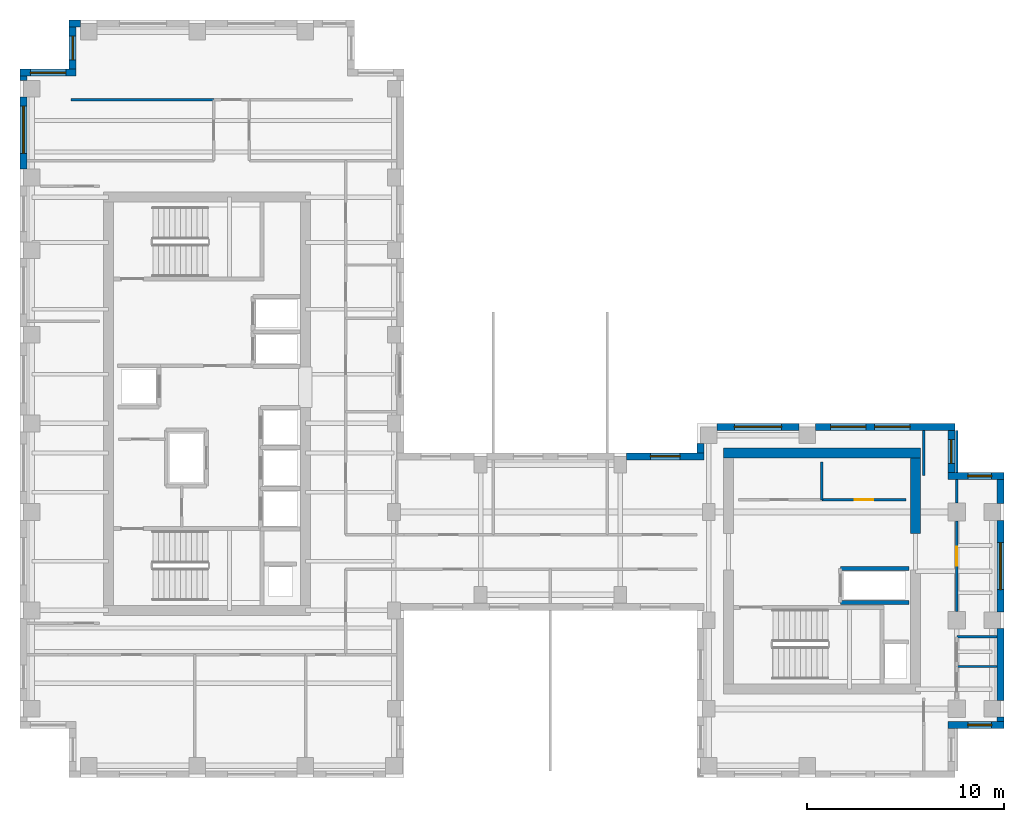
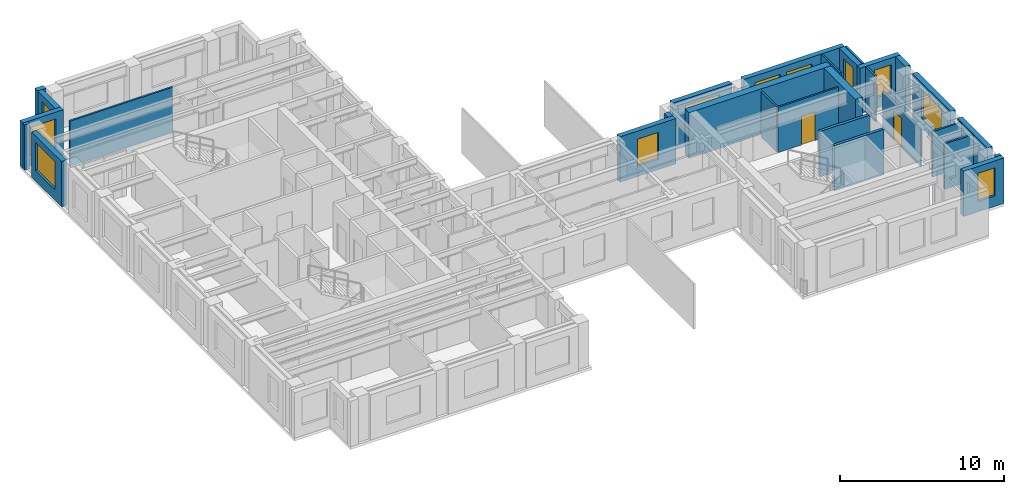
# One storey, part 8 of 11: 29 walls, 11 windows, 2 doors, 13 openings.
"""IFC4 building model written with IfcOpenShell, lengths in metres."""

from ifc_helpers import new_model, si_unit, direction, frame, frame_2d, origin, place, context, subcontext, project, spatial, rectangle, extrude, source, transform, mapped, material, layer, layer_set, type_object, element, fill, save


model = new_model("IFC4")

# Units and contexts
model_context = context("Model", 3, precision=1e-05, world=origin(), true_north=direction((0.0, 1.0)))
body_context = subcontext(model_context, "Body", "Model", "MODEL_VIEW")
ifc_project = project(units=[si_unit("LENGTHUNIT", "METRE"), si_unit("AREAUNIT", "SQUARE_METRE"), si_unit("VOLUMEUNIT", "CUBIC_METRE"), si_unit("PLANEANGLEUNIT", "RADIAN"), si_unit("MASSUNIT", "GRAM", prefix="KILO")], contexts=[model_context])

# Site, building, storey
site_placement = place(None, origin())
site = spatial("IfcSite", under=ifc_project, at=site_placement, CompositionType="ELEMENT")
building_placement = place(site_placement, origin())
building = spatial("IfcBuilding", under=site, at=building_placement, Name="Kharzan Plaza Tower", CompositionType="ELEMENT")
storey_placement = place(building_placement, frame((0.0, 0.0, 226.800048828125)))
storey = spatial("IfcBuildingStorey", under=building, at=storey_placement, Name="L61", CompositionType="ELEMENT", Elevation=226.800048828125)

# Wall, opening, window
ifc_material_1 = material(Name="Concrete C40/50", Category="concrete")
ifc_layer_1 = layer(ifc_material_1, 0.35009765625)
ifc_layer_set_1 = layer_set([ifc_layer_1], Name="Concrete C40/50")
wall_type_1 = type_object("IfcWallType", Name="WL-EXT-MAS-Z4", PredefinedType="SOLIDWALL", material=ifc_layer_set_1)
wall_1_placement = place(storey_placement, frame((2.675048828125, 38.152099609375, 0.0), z_axis=(0.0, 0.0, 1.0), x_axis=(0.0, -1.0, 0.0)))
wall_1 = element("IfcWall", 1, at=wall_1_placement, inside=storey, type_object=wall_type_1, Name="L61 Masonry-Frame Exterior Wall 14", PredefinedType="SOLIDWALL", context=body_context, shape_type="SweptSolid", body=[
    extrude(rectangle(XDim=2.154052734375, YDim=0.35009765625, at=frame_2d((1.0771484375, 0.0))), origin(), (0.0, 0.0, 1.0), 3.385009765625),
])
opening_1_placement = place(wall_1_placement, frame((0.47705078125, 0.0, 0.780029296875)))
opening_1 = element("IfcOpeningElement", 2, at=opening_1_placement, cuts=wall_1, Name="Opening W3", PredefinedType="OPENING", context=body_context, shape_type="SweptSolid", body=[
    extrude(rectangle(XDim=1.199951171875, YDim=2.10009765625, at=frame_2d((0.60009765625, 1.050048828125))), frame((0.0, 0.18505859375, 0.0), z_axis=(0.0, -1.0, 0.0), x_axis=(1.0, 0.0, 0.0)), (0.0, 0.0, 1.0), 0.3701171875),
])
ifc_material_2 = material(Name="Low-E Double Glazing", Category="glass")
window_type_1 = type_object("IfcWindowType", Name="WN-REC-1200x2100", PartitioningType="SINGLE_PANEL", PredefinedType="WINDOW", material=ifc_material_2)
shared_shape_1 = source(origin(), body_context, "Body", "SweptSolid", [
    extrude(rectangle(XDim=1.199951171875, YDim=2.10009765625, at=frame_2d((0.60009765625, 1.050048828125))), frame((0.0, 0.030029296875, 0.0), z_axis=(0.0, -1.0, 0.0), x_axis=(1.0, 0.0, 0.0)), (0.0, 0.0, 1.0), 0.06005859375),
])
window_1_placement = place(opening_1_placement, origin())
window_1 = element("IfcWindow", 3, at=window_1_placement, inside=storey, type_object=window_type_1, Name="L61 Recessed Solar-Control Window 14-1", OverallHeight=2.10009765625, OverallWidth=1.199951171875, PartitioningType="SINGLE_PANEL", PredefinedType="WINDOW", context=body_context, shape_type="MappedRepresentation", body=[
    mapped(shared_shape_1, transform((0.0, 0.0, 0.0), x_axis=(1.0, 0.0, 0.0), y_axis=(0.0, 1.0, 0.0), z_axis=(0.0, 0.0, 1.0))),
])
fill(opening_1, window_1)

wall_2_placement = place(storey_placement, frame((2.85009765625, 35.824951171875, 0.0), z_axis=(0.0, 0.0, 1.0), x_axis=(-1.0, 0.0, 0.0)))
wall_2 = element("IfcWall", 4, at=wall_2_placement, inside=storey, type_object=wall_type_1, Name="L61 Masonry-Frame Exterior Wall 15", PredefinedType="SOLIDWALL", context=body_context, shape_type="SweptSolid", body=[
    extrude(rectangle(XDim=2.85009765625, YDim=0.35009765625, at=frame_2d((1.425048828125, 0.0))), origin(), (0.0, 0.0, 1.0), 3.385009765625),
])
opening_2_placement = place(wall_2_placement, frame((0.52490234375, 0.0, 0.780029296875)))
opening_2 = element("IfcOpeningElement", 5, at=opening_2_placement, cuts=wall_2, Name="Opening W1", PredefinedType="OPENING", context=body_context, shape_type="SweptSolid", body=[
    extrude(rectangle(XDim=1.800048828125, YDim=2.10009765625, at=frame_2d((0.89990234375, 1.050048828125))), frame((0.0, 0.18505859375, 0.0), z_axis=(0.0, -1.0, 0.0), x_axis=(1.0, 0.0, 0.0)), (0.0, 0.0, 1.0), 0.3701171875),
])
window_type_2 = type_object("IfcWindowType", Name="WN-REC-1800x2100", PartitioningType="SINGLE_PANEL", PredefinedType="WINDOW", material=ifc_material_2)
shared_shape_2 = source(origin(), body_context, "Body", "SweptSolid", [
    extrude(rectangle(XDim=1.800048828125, YDim=2.10009765625, at=frame_2d((0.89990234375, 1.050048828125))), frame((0.0, 0.030029296875, 0.0), z_axis=(0.0, -1.0, 0.0), x_axis=(1.0, 0.0, 0.0)), (0.0, 0.0, 1.0), 0.06005859375),
])
window_2_placement = place(opening_2_placement, origin())
window_2 = element("IfcWindow", 6, at=window_2_placement, inside=storey, type_object=window_type_2, Name="L61 Recessed Solar-Control Window 15-1", OverallHeight=2.10009765625, OverallWidth=1.800048828125, PartitioningType="SINGLE_PANEL", PredefinedType="WINDOW", context=body_context, shape_type="MappedRepresentation", body=[
    mapped(shared_shape_2, transform((0.0, 0.0, 0.0), x_axis=(1.0, 0.0, 0.0), y_axis=(0.0, 1.0, 0.0), z_axis=(0.0, 0.0, 1.0))),
])
fill(opening_2, window_2)

wall_3_placement = place(storey_placement, frame((0.175048828125, 34.576904296875, 0.0), z_axis=(0.0, 0.0, 1.0), x_axis=(0.0, -1.0, 0.0)))
wall_3 = element("IfcWall", 7, at=wall_3_placement, inside=storey, type_object=wall_type_1, Name="L61 Masonry-Frame Exterior Wall 17", PredefinedType="SOLIDWALL", context=body_context, shape_type="SweptSolid", body=[
    extrude(rectangle(XDim=3.65380859375, YDim=0.35009765625, at=frame_2d((1.826904296875, 0.0))), origin(), (0.0, 0.0, 1.0), 3.385009765625),
])
opening_3_placement = place(wall_3_placement, frame((0.448486328125, 0.0, 0.780029296875)))
opening_3 = element("IfcOpeningElement", 8, at=opening_3_placement, cuts=wall_3, Name="Opening W2", PredefinedType="OPENING", context=body_context, shape_type="SweptSolid", body=[
    extrude(rectangle(XDim=2.39990234375, YDim=2.10009765625, at=frame_2d((1.199951171875, 1.050048828125))), frame((0.0, 0.18505859375, 0.0), z_axis=(0.0, -1.0, 0.0), x_axis=(1.0, 0.0, 0.0)), (0.0, 0.0, 1.0), 0.3701171875),
])
window_type_3 = type_object("IfcWindowType", Name="WN-REC-2400x2100", PartitioningType="SINGLE_PANEL", PredefinedType="WINDOW", material=ifc_material_2)
shared_shape_3 = source(origin(), body_context, "Body", "SweptSolid", [
    extrude(rectangle(XDim=2.39990234375, YDim=2.10009765625, at=frame_2d((1.199951171875, 1.050048828125))), frame((0.0, 0.030029296875, 0.0), z_axis=(0.0, -1.0, 0.0), x_axis=(1.0, 0.0, 0.0)), (0.0, 0.0, 1.0), 0.06005859375),
])
window_3_placement = place(opening_3_placement, origin())
window_3 = element("IfcWindow", 9, at=window_3_placement, inside=storey, type_object=window_type_3, Name="L61 Wide Recessed Solar-Control Window 17-1", OverallHeight=2.10009765625, OverallWidth=2.39990234375, PartitioningType="SINGLE_PANEL", PredefinedType="WINDOW", context=body_context, shape_type="MappedRepresentation", body=[
    mapped(shared_shape_3, transform((0.0, 0.0, 0.0), x_axis=(1.0, 0.0, 0.0), y_axis=(0.0, 1.0, 0.0), z_axis=(0.0, 0.0, 1.0))),
])
fill(opening_3, window_3)

wall_4_placement = place(storey_placement, frame((47.14990234375, 2.675048828125, 0.0), z_axis=(0.0, 0.0, 1.0), x_axis=(1.0, 0.0, 0.0)))
wall_4 = element("IfcWall", 10, at=wall_4_placement, inside=storey, type_object=wall_type_1, Name="L61 Masonry-Frame Exterior Wall 39", PredefinedType="SOLIDWALL", context=body_context, shape_type="SweptSolid", body=[
    extrude(rectangle(XDim=2.85009765625, YDim=0.35009765625, at=frame_2d((1.425048828125, 0.0))), origin(), (0.0, 0.0, 1.0), 3.385009765625),
])
opening_4_placement = place(wall_4_placement, frame((1.014892578125, 0.0, 0.780029296875)))
opening_4 = element("IfcOpeningElement", 11, at=opening_4_placement, cuts=wall_4, Name="Opening W3", PredefinedType="OPENING", context=body_context, shape_type="SweptSolid", body=[
    extrude(rectangle(XDim=1.199951171875, YDim=2.10009765625, at=frame_2d((0.60009765625, 1.050048828125))), frame((0.0, 0.18505859375, 0.0), z_axis=(0.0, -1.0, 0.0), x_axis=(1.0, 0.0, 0.0)), (0.0, 0.0, 1.0), 0.3701171875),
])
window_4_placement = place(opening_4_placement, origin())
window_4 = element("IfcWindow", 12, at=window_4_placement, inside=storey, type_object=window_type_1, Name="L61 Recessed Solar-Control Window 39-1", OverallHeight=2.10009765625, OverallWidth=1.199951171875, PartitioningType="SINGLE_PANEL", PredefinedType="WINDOW", context=body_context, shape_type="MappedRepresentation", body=[
    mapped(shared_shape_1, transform((0.0, 0.0, 0.0), x_axis=(1.0, 0.0, 0.0), y_axis=(0.0, 1.0, 0.0), z_axis=(0.0, 0.0, 1.0))),
])
fill(opening_4, window_4)

wall_5_placement = place(storey_placement, frame((49.824951171875, 8.423095703125, 0.0), z_axis=(0.0, 0.0, 1.0), x_axis=(0.0, 1.0, 0.0)))
wall_5 = element("IfcWall", 13, at=wall_5_placement, inside=storey, type_object=wall_type_1, Name="L61 Masonry-Frame Exterior Wall 42", PredefinedType="SOLIDWALL", context=body_context, shape_type="SweptSolid", body=[
    extrude(rectangle(XDim=4.65380859375, YDim=0.35009765625, at=frame_2d((2.326904296875, 0.0))), origin(), (0.0, 0.0, 1.0), 3.385009765625),
])
opening_5_placement = place(wall_5_placement, frame((1.126953125, 0.0, 0.780029296875)))
opening_5 = element("IfcOpeningElement", 14, at=opening_5_placement, cuts=wall_5, Name="Opening W2", PredefinedType="OPENING", context=body_context, shape_type="SweptSolid", body=[
    extrude(rectangle(XDim=2.39990234375, YDim=2.10009765625, at=frame_2d((1.199951171875, 1.050048828125))), frame((0.0, 0.18505859375, 0.0), z_axis=(0.0, -1.0, 0.0), x_axis=(1.0, 0.0, 0.0)), (0.0, 0.0, 1.0), 0.3701171875),
])
window_5_placement = place(opening_5_placement, origin())
window_5 = element("IfcWindow", 15, at=window_5_placement, inside=storey, type_object=window_type_3, Name="L61 Wide Recessed Solar-Control Window 42-1", OverallHeight=2.10009765625, OverallWidth=2.39990234375, PartitioningType="SINGLE_PANEL", PredefinedType="WINDOW", context=body_context, shape_type="MappedRepresentation", body=[
    mapped(shared_shape_3, transform((0.0, 0.0, 0.0), x_axis=(1.0, 0.0, 0.0), y_axis=(0.0, 1.0, 0.0), z_axis=(0.0, 0.0, 1.0))),
])
fill(opening_5, window_5)

wall_6_placement = place(storey_placement, frame((50.0, 15.324951171875, 0.0), z_axis=(0.0, 0.0, 1.0), x_axis=(-1.0, 0.0, 0.0)))
wall_6 = element("IfcWall", 16, at=wall_6_placement, inside=storey, type_object=wall_type_1, Name="L61 Masonry-Frame Exterior Wall 44", PredefinedType="SOLIDWALL", context=body_context, shape_type="SweptSolid", body=[
    extrude(rectangle(XDim=2.85009765625, YDim=0.35009765625, at=frame_2d((1.425048828125, 0.0))), origin(), (0.0, 0.0, 1.0), 3.385009765625),
])
opening_6_placement = place(wall_6_placement, frame((0.635009765625, 0.0, 0.780029296875)))
opening_6 = element("IfcOpeningElement", 17, at=opening_6_placement, cuts=wall_6, Name="Opening W3", PredefinedType="OPENING", context=body_context, shape_type="SweptSolid", body=[
    extrude(rectangle(XDim=1.199951171875, YDim=2.10009765625, at=frame_2d((0.60009765625, 1.050048828125))), frame((0.0, 0.18505859375, 0.0), z_axis=(0.0, -1.0, 0.0), x_axis=(1.0, 0.0, 0.0)), (0.0, 0.0, 1.0), 0.3701171875),
])
window_6_placement = place(opening_6_placement, origin())
window_6 = element("IfcWindow", 18, at=window_6_placement, inside=storey, type_object=window_type_1, Name="L61 Recessed Solar-Control Window 44-1", OverallHeight=2.10009765625, OverallWidth=1.199951171875, PartitioningType="SINGLE_PANEL", PredefinedType="WINDOW", context=body_context, shape_type="MappedRepresentation", body=[
    mapped(shared_shape_1, transform((0.0, 0.0, 0.0), x_axis=(1.0, 0.0, 0.0), y_axis=(0.0, 1.0, 0.0), z_axis=(0.0, 0.0, 1.0))),
])
fill(opening_6, window_6)

wall_7_placement = place(storey_placement, frame((47.324951171875, 15.498046875, 0.0), z_axis=(0.0, 0.0, 1.0), x_axis=(0.0, 1.0, 0.0)))
wall_7 = element("IfcWall", 19, at=wall_7_placement, inside=storey, type_object=wall_type_1, Name="L61 Masonry-Frame Exterior Wall 45", PredefinedType="SOLIDWALL", context=body_context, shape_type="SweptSolid", body=[
    extrude(rectangle(XDim=2.154052734375, YDim=0.35009765625, at=frame_2d((1.0771484375, 0.0))), origin(), (0.0, 0.0, 1.0), 3.385009765625),
])
opening_7_placement = place(wall_7_placement, frame((0.47705078125, 0.0, 0.780029296875)))
opening_7 = element("IfcOpeningElement", 20, at=opening_7_placement, cuts=wall_7, Name="Opening W3", PredefinedType="OPENING", context=body_context, shape_type="SweptSolid", body=[
    extrude(rectangle(XDim=1.199951171875, YDim=2.10009765625, at=frame_2d((0.60009765625, 1.050048828125))), frame((0.0, 0.18505859375, 0.0), z_axis=(0.0, -1.0, 0.0), x_axis=(1.0, 0.0, 0.0)), (0.0, 0.0, 1.0), 0.3701171875),
])
window_7_placement = place(opening_7_placement, origin())
window_7 = element("IfcWindow", 21, at=window_7_placement, inside=storey, type_object=window_type_1, Name="L61 Recessed Solar-Control Window 45-1", OverallHeight=2.10009765625, OverallWidth=1.199951171875, PartitioningType="SINGLE_PANEL", PredefinedType="WINDOW", context=body_context, shape_type="MappedRepresentation", body=[
    mapped(shared_shape_1, transform((0.0, 0.0, 0.0), x_axis=(1.0, 0.0, 0.0), y_axis=(0.0, 1.0, 0.0), z_axis=(0.0, 0.0, 1.0))),
])
fill(opening_7, window_7)

# Wall, openings, windows
wall_8_placement = place(storey_placement, frame((47.5, 17.824951171875, 0.0), z_axis=(0.0, 0.0, 1.0), x_axis=(-1.0, 0.0, 0.0)))
wall_8 = element("IfcWall", 22, at=wall_8_placement, inside=storey, type_object=wall_type_1, Name="L61 Masonry-Frame Exterior Wall 46", PredefinedType="SOLIDWALL", context=body_context, shape_type="SweptSolid", body=[
    extrude(rectangle(XDim=7.076904296875, YDim=0.35009765625, at=frame_2d((3.53857421875, 0.0))), origin(), (0.0, 0.0, 1.0), 3.385009765625),
])
opening_8_placement = place(wall_8_placement, frame((2.272216796875, 0.0, 0.780029296875)))
opening_8 = element("IfcOpeningElement", 23, at=opening_8_placement, cuts=wall_8, Name="Opening W1", PredefinedType="OPENING", context=body_context, shape_type="SweptSolid", body=[
    extrude(rectangle(XDim=1.800048828125, YDim=2.10009765625, at=frame_2d((0.89990234375, 1.050048828125))), frame((0.0, 0.18505859375, 0.0), z_axis=(0.0, -1.0, 0.0), x_axis=(1.0, 0.0, 0.0)), (0.0, 0.0, 1.0), 0.3701171875),
])
opening_9_placement = place(wall_8_placement, frame((4.5146484375, 0.0, 0.780029296875)))
opening_9 = element("IfcOpeningElement", 24, at=opening_9_placement, cuts=wall_8, Name="Opening W1", PredefinedType="OPENING", context=body_context, shape_type="SweptSolid", body=[
    extrude(rectangle(XDim=1.800048828125, YDim=2.10009765625, at=frame_2d((0.89990234375, 1.050048828125))), frame((0.0, 0.18505859375, 0.0), z_axis=(0.0, -1.0, 0.0), x_axis=(1.0, 0.0, 0.0)), (0.0, 0.0, 1.0), 0.3701171875),
])
window_8_placement = place(opening_8_placement, origin())
window_8 = element("IfcWindow", 25, at=window_8_placement, inside=storey, type_object=window_type_2, Name="L61 Recessed Solar-Control Window 46-1", OverallHeight=2.10009765625, OverallWidth=1.800048828125, PartitioningType="SINGLE_PANEL", PredefinedType="WINDOW", context=body_context, shape_type="MappedRepresentation", body=[
    mapped(shared_shape_2, transform((0.0, 0.0, 0.0), x_axis=(1.0, 0.0, 0.0), y_axis=(0.0, 1.0, 0.0), z_axis=(0.0, 0.0, 1.0))),
])
fill(opening_8, window_8)
window_9_placement = place(opening_9_placement, origin())
window_9 = element("IfcWindow", 26, at=window_9_placement, inside=storey, type_object=window_type_2, Name="L61 Recessed Solar-Control Window 46-2", OverallHeight=2.10009765625, OverallWidth=1.800048828125, PartitioningType="SINGLE_PANEL", PredefinedType="WINDOW", context=body_context, shape_type="MappedRepresentation", body=[
    mapped(shared_shape_2, transform((0.0, 0.0, 0.0), x_axis=(1.0, 0.0, 0.0), y_axis=(0.0, 1.0, 0.0), z_axis=(0.0, 0.0, 1.0))),
])
fill(opening_9, window_9)

# Wall, opening, window
wall_9_placement = place(storey_placement, frame((39.576904296875, 17.824951171875, 0.0), z_axis=(0.0, 0.0, 1.0), x_axis=(-1.0, 0.0, 0.0)))
wall_9 = element("IfcWall", 27, at=wall_9_placement, inside=storey, type_object=wall_type_1, Name="L61 Masonry-Frame Exterior Wall 47", PredefinedType="SOLIDWALL", context=body_context, shape_type="SweptSolid", body=[
    extrude(rectangle(XDim=4.15380859375, YDim=0.35009765625, at=frame_2d((2.076904296875, 0.0))), origin(), (0.0, 0.0, 1.0), 3.385009765625),
])
opening_10_placement = place(wall_9_placement, frame((0.876953125, 0.0, 0.780029296875)))
opening_10 = element("IfcOpeningElement", 28, at=opening_10_placement, cuts=wall_9, Name="Opening W2", PredefinedType="OPENING", context=body_context, shape_type="SweptSolid", body=[
    extrude(rectangle(XDim=2.39990234375, YDim=2.10009765625, at=frame_2d((1.199951171875, 1.050048828125))), frame((0.0, 0.18505859375, 0.0), z_axis=(0.0, -1.0, 0.0), x_axis=(1.0, 0.0, 0.0)), (0.0, 0.0, 1.0), 0.3701171875),
])
window_10_placement = place(opening_10_placement, origin())
window_10 = element("IfcWindow", 29, at=window_10_placement, inside=storey, type_object=window_type_3, Name="L61 Wide Recessed Solar-Control Window 47-1", OverallHeight=2.10009765625, OverallWidth=2.39990234375, PartitioningType="SINGLE_PANEL", PredefinedType="WINDOW", context=body_context, shape_type="MappedRepresentation", body=[
    mapped(shared_shape_3, transform((0.0, 0.0, 0.0), x_axis=(1.0, 0.0, 0.0), y_axis=(0.0, 1.0, 0.0), z_axis=(0.0, 0.0, 1.0))),
])
fill(opening_10, window_10)

wall_10_placement = place(storey_placement, frame((34.75, 16.324951171875, 0.0), z_axis=(0.0, 0.0, 1.0), x_axis=(-1.0, 0.0, 0.0)))
wall_10 = element("IfcWall", 30, at=wall_10_placement, inside=storey, type_object=wall_type_1, Name="L61 Masonry-Frame Exterior Wall 49", PredefinedType="SOLIDWALL", context=body_context, shape_type="SweptSolid", body=[
    extrude(rectangle(XDim=3.927001953125, YDim=0.35009765625, at=frame_2d((1.96337890625, 0.0))), origin(), (0.0, 0.0, 1.0), 3.385009765625),
])
opening_11_placement = place(wall_10_placement, frame((1.21337890625, 0.0, 0.780029296875)))
opening_11 = element("IfcOpeningElement", 31, at=opening_11_placement, cuts=wall_10, Name="Opening W5", PredefinedType="OPENING", context=body_context, shape_type="SweptSolid", body=[
    extrude(rectangle(XDim=1.5, YDim=2.0, at=frame_2d((0.75, 1.0))), frame((0.0, 0.18505859375, 0.0), z_axis=(0.0, -1.0, 0.0), x_axis=(1.0, 0.0, 0.0)), (0.0, 0.0, 1.0), 0.3701171875),
])
window_type_4 = type_object("IfcWindowType", Name="WN-SLT-1500x2000", PartitioningType="SINGLE_PANEL", PredefinedType="WINDOW", material=ifc_material_2)
shared_shape_4 = source(origin(), body_context, "Body", "SweptSolid", [
    extrude(rectangle(XDim=1.5, YDim=2.0, at=frame_2d((0.75, 1.0))), frame((0.0, 0.030029296875, 0.0), z_axis=(0.0, -1.0, 0.0), x_axis=(1.0, 0.0, 0.0)), (0.0, 0.0, 1.0), 0.06005859375),
])
window_11_placement = place(opening_11_placement, origin())
window_11 = element("IfcWindow", 32, at=window_11_placement, inside=storey, type_object=window_type_4, Name="L61 Recessed Solar-Control Window 49-1", OverallHeight=2.0, OverallWidth=1.5, PartitioningType="SINGLE_PANEL", PredefinedType="WINDOW", context=body_context, shape_type="MappedRepresentation", body=[
    mapped(shared_shape_4, transform((0.0, 0.0, 0.0), x_axis=(1.0, 0.0, 0.0), y_axis=(0.0, 1.0, 0.0), z_axis=(0.0, 0.0, 1.0))),
])
fill(opening_11, window_11)

# Wall, opening, door
ifc_material_3 = material(Name="Fire-Rated Gypsum Board Partition", Category="gypsum")
ifc_layer_2 = layer(ifc_material_3, 0.125)
ifc_layer_set_2 = layer_set([ifc_layer_2], Name="Fire-Rated Gypsum Board Partition")
wall_type_2 = type_object("IfcWallType", Name="WL-INT-PART-125", PredefinedType="PARTITIONING", material=ifc_layer_set_2)
wall_11_placement = place(storey_placement, frame((40.75, 14.1201171875, 0.0), z_axis=(0.0, 0.0, 1.0), x_axis=(1.0, 0.0, 0.0)))
wall_11 = element("IfcWall", 33, at=wall_11_placement, inside=storey, type_object=wall_type_2, Name="L61 Interior Partition CB-RBLS2", PredefinedType="PARTITIONING", context=body_context, shape_type="SweptSolid", body=[
    extrude(rectangle(XDim=4.27001953125, YDim=0.125, at=frame_2d((2.135009765625, 0.0))), origin(), (0.0, 0.0, 1.0), 3.385009765625),
])
opening_12_placement = place(wall_11_placement, frame((1.659912109375, 0.0, 0.0)))
opening_12 = element("IfcOpeningElement", 34, at=opening_12_placement, cuts=wall_11, Name="Opening OD1", PredefinedType="OPENING", context=body_context, shape_type="SweptSolid", body=[
    extrude(rectangle(XDim=0.949951171875, YDim=2.14990234375, at=frame_2d((0.47509765625, 1.074951171875))), frame((0.0, 0.072509765625, 0.0), z_axis=(0.0, -1.0, 0.0), x_axis=(1.0, 0.0, 0.0)), (0.0, 0.0, 1.0), 0.14501953125),
])
ifc_material_4 = material(Name="Acoustic Solid-Core Stained Oak", Category="timber")
door_type = type_object("IfcDoorType", Name="DR-OFF-SINGLE", OperationType="NOTDEFINED", PredefinedType="DOOR", material=ifc_material_4)
shared_shape_5 = source(origin(), body_context, "Body", "SweptSolid", [
    extrude(rectangle(XDim=0.949951171875, YDim=2.14990234375, at=frame_2d((0.47509765625, 1.074951171875))), frame((0.0, 0.02490234375, 0.0), z_axis=(0.0, -1.0, 0.0), x_axis=(1.0, 0.0, 0.0)), (0.0, 0.0, 1.0), 0.050048828125),
])
door_1_placement = place(opening_12_placement, origin())
door_1 = element("IfcDoor", 35, at=door_1_placement, inside=storey, type_object=door_type, Name="L61 Print Room Door", OperationType="SINGLE_SWING_LEFT", OverallHeight=2.14990234375, OverallWidth=0.949951171875, PredefinedType="DOOR", context=body_context, shape_type="MappedRepresentation", body=[
    mapped(shared_shape_5, transform((0.0, 0.0, 0.0), x_axis=(1.0, 0.0, 0.0), y_axis=(0.0, 1.0, 0.0), z_axis=(0.0, 0.0, 1.0))),
])
fill(opening_12, door_1)

wall_12_placement = place(storey_placement, frame((47.60009765625, 8.449951171875, 0.0), z_axis=(0.0, 0.0, 1.0), x_axis=(0.0, 1.0, 0.0)))
wall_12 = element("IfcWall", 36, at=wall_12_placement, inside=storey, type_object=wall_type_2, Name="L61 Interior Partition SH-B0W1-S1", PredefinedType="PARTITIONING", context=body_context, shape_type="SweptSolid", body=[
    extrude(rectangle(XDim=4.60009765625, YDim=0.125, at=frame_2d((2.300048828125, 0.0))), origin(), (0.0, 0.0, 1.0), 2.77294921875),
])
opening_13_placement = place(wall_12_placement, frame((2.324951171875, 0.0, 0.0)))
opening_13 = element("IfcOpeningElement", 37, at=opening_13_placement, cuts=wall_12, Name="Opening OD1", PredefinedType="OPENING", context=body_context, shape_type="SweptSolid", body=[
    extrude(rectangle(XDim=0.949951171875, YDim=2.14990234375, at=frame_2d((0.47509765625, 1.074951171875))), frame((0.0, 0.072509765625, 0.0), z_axis=(0.0, -1.0, 0.0), x_axis=(1.0, 0.0, 0.0)), (0.0, 0.0, 1.0), 0.14501953125),
])
door_2_placement = place(opening_13_placement, origin())
door_2 = element("IfcDoor", 38, at=door_2_placement, inside=storey, type_object=door_type, Name="L61 Open Engineering Workspace Door", OperationType="SINGLE_SWING_LEFT", OverallHeight=2.14990234375, OverallWidth=0.949951171875, PredefinedType="DOOR", context=body_context, shape_type="MappedRepresentation", body=[
    mapped(shared_shape_5, transform((0.0, 0.0, 0.0), x_axis=(1.0, 0.0, 0.0), y_axis=(0.0, 1.0, 0.0), z_axis=(0.0, 0.0, 1.0))),
])
fill(opening_13, door_2)

# Walls
shared_shape_6 = source(origin(), body_context, "Body", "SweptSolid", [
    extrude(rectangle(XDim=1.929931640625, YDim=0.125, at=frame_2d((0.96484375, 0.0))), origin(), (0.0, 0.0, 1.0), 3.385009765625),
])
wall_13_placement = place(storey_placement, frame((40.75, 14.1201171875, 0.0), z_axis=(0.0, 0.0, 1.0), x_axis=(0.0, 1.0, 0.0)))
element("IfcWall", 39, at=wall_13_placement, inside=storey, type_object=wall_type_2, Name="L61 Interior Partition CB-RBLM1", PredefinedType="PARTITIONING", context=body_context, shape_type="MappedRepresentation", body=[
    mapped(shared_shape_6, transform((0.0, 0.0, 0.0), x_axis=(1.0, 0.0, 0.0), y_axis=(0.0, 1.0, 0.0), z_axis=(0.0, 0.0, 1.0))),
])
shared_shape_7 = source(origin(), body_context, "Body", "SweptSolid", [
    extrude(rectangle(XDim=2.2978515625, YDim=0.125, at=frame_2d((1.14892578125, 0.0))), origin(), (0.0, 0.0, 1.0), 3.385009765625),
])
wall_14_placement = place(storey_placement, frame((45.919921875, 15.35009765625, 0.0), z_axis=(0.0, 0.0, 1.0), x_axis=(0.0, 1.0, 0.0)))
element("IfcWall", 40, at=wall_14_placement, inside=storey, type_object=wall_type_2, Name="L61 Interior Partition SH-RBNE0", PredefinedType="PARTITIONING", context=body_context, shape_type="MappedRepresentation", body=[
    mapped(shared_shape_7, transform((0.0, 0.0, 0.0), x_axis=(1.0, 0.0, 0.0), y_axis=(0.0, 1.0, 0.0), z_axis=(0.0, 0.0, 1.0))),
])
ifc_layer_3 = layer(ifc_material_1, 0.199951171875)
ifc_layer_set_3 = layer_set([ifc_layer_3], Name="Concrete C40/50")
wall_type_3 = type_object("IfcWallType", Name="WL-INT-SHAFT-200", PredefinedType="PARTITIONING", material=ifc_layer_set_3)
shared_shape_8 = source(origin(), body_context, "Body", "SweptSolid", [
    extrude(rectangle(XDim=3.489990234375, YDim=0.199951171875, at=frame_2d((1.7451171875, 0.0))), origin(), (0.0, 0.0, 1.0), 3.385009765625),
])
for number, where, z_axis, x_axis, name in (
    (41, (41.679931640625, 10.639892578125, 0.0), (0.0, 0.0, 1.0), (1.0, 0.0, 0.0), "L61 Interior Partition SHF-SVL-2-N"),
    (42, (41.679931640625, 8.89990234375, 0.0), (0.0, 0.0, 1.0), (1.0, 0.0, 0.0), "L61 Interior Partition SHF-SVL-2-S"),
):
    element("IfcWall", number, at=place(storey_placement, frame(where, z_axis=z_axis, x_axis=x_axis)), inside=storey, type_object=wall_type_3, Name=name, PredefinedType="PARTITIONING", context=body_context, shape_type="MappedRepresentation", body=[
        mapped(shared_shape_8, transform((0.0, 0.0, 0.0), x_axis=(1.0, 0.0, 0.0), y_axis=(0.0, 1.0, 0.0), z_axis=(0.0, 0.0, 1.0))),
    ])
shared_shape_9 = source(origin(), body_context, "Body", "SweptSolid", [
    extrude(rectangle(XDim=0.576904296875, YDim=0.35009765625, at=frame_2d((0.28857421875, 0.0))), origin(), (0.0, 0.0, 1.0), 3.385009765625),
])
wall_15_placement = place(storey_placement, frame((3.076904296875, 38.324951171875, 0.0), z_axis=(0.0, 0.0, 1.0), x_axis=(-1.0, 0.0, 0.0)))
element("IfcWall", 43, at=wall_15_placement, inside=storey, type_object=wall_type_1, Name="L61 Masonry-Frame Exterior Wall 13", PredefinedType="SOLIDWALL", context=body_context, shape_type="MappedRepresentation", body=[
    mapped(shared_shape_9, transform((0.0, 0.0, 0.0), x_axis=(1.0, 0.0, 0.0), y_axis=(0.0, 1.0, 0.0), z_axis=(0.0, 0.0, 1.0))),
])
shared_shape_10 = source(origin(), body_context, "Body", "SweptSolid", [
    extrude(rectangle(XDim=0.22900390625, YDim=0.35009765625, at=frame_2d((0.114501953125, 0.0))), origin(), (0.0, 0.0, 1.0), 3.385009765625),
])
for number, where, z_axis, x_axis, name in (
    (44, (0.175048828125, 35.652099609375, 0.0), (0.0, 0.0, 1.0), (0.0, -1.0, 0.0), "L61 Masonry-Frame Exterior Wall 16"),
    (45, (49.824951171875, 2.847900390625, 0.0), (0.0, 0.0, 1.0), (0.0, 1.0, 0.0), "L61 Masonry-Frame Exterior Wall 40"),
):
    element("IfcWall", number, at=place(storey_placement, frame(where, z_axis=z_axis, x_axis=x_axis)), inside=storey, type_object=wall_type_1, Name=name, PredefinedType="SOLIDWALL", context=body_context, shape_type="MappedRepresentation", body=[
        mapped(shared_shape_10, transform((0.0, 0.0, 0.0), x_axis=(1.0, 0.0, 0.0), y_axis=(0.0, 1.0, 0.0), z_axis=(0.0, 0.0, 1.0))),
    ])
shared_shape_11 = source(origin(), body_context, "Body", "SweptSolid", [
    extrude(rectangle(XDim=3.65380859375, YDim=0.35009765625, at=frame_2d((1.826904296875, 0.0))), origin(), (0.0, 0.0, 1.0), 3.385009765625),
])
wall_16_placement = place(storey_placement, frame((49.824951171875, 3.923095703125, 0.0), z_axis=(0.0, 0.0, 1.0), x_axis=(0.0, 1.0, 0.0)))
element("IfcWall", 46, at=wall_16_placement, inside=storey, type_object=wall_type_1, Name="L61 Masonry-Frame Exterior Wall 41", PredefinedType="SOLIDWALL", context=body_context, shape_type="MappedRepresentation", body=[
    mapped(shared_shape_11, transform((0.0, 0.0, 0.0), x_axis=(1.0, 0.0, 0.0), y_axis=(0.0, 1.0, 0.0), z_axis=(0.0, 0.0, 1.0))),
])
shared_shape_12 = source(origin(), body_context, "Body", "SweptSolid", [
    extrude(rectangle(XDim=1.22900390625, YDim=0.35009765625, at=frame_2d((0.614501953125, 0.0))), origin(), (0.0, 0.0, 1.0), 3.385009765625),
])
wall_17_placement = place(storey_placement, frame((49.824951171875, 13.923095703125, 0.0), z_axis=(0.0, 0.0, 1.0), x_axis=(0.0, 1.0, 0.0)))
element("IfcWall", 47, at=wall_17_placement, inside=storey, type_object=wall_type_1, Name="L61 Masonry-Frame Exterior Wall 43", PredefinedType="SOLIDWALL", context=body_context, shape_type="MappedRepresentation", body=[
    mapped(shared_shape_12, transform((0.0, 0.0, 0.0), x_axis=(1.0, 0.0, 0.0), y_axis=(0.0, 1.0, 0.0), z_axis=(0.0, 0.0, 1.0))),
])
shared_shape_13 = source(origin(), body_context, "Body", "SweptSolid", [
    extrude(rectangle(XDim=2.0478515625, YDim=0.125, at=frame_2d((1.02392578125, 0.0))), origin(), (0.0, 0.0, 1.0), 3.385009765625),
])
for number, where, z_axis, x_axis, name in (
    (48, (47.60009765625, 5.64990234375, 0.0), (0.0, 0.0, 1.0), (1.0, 0.0, 0.0), "L61 Interior Partition SH-B0H1"),
    (49, (47.60009765625, 7.14990234375, 0.0), (0.0, 0.0, 1.0), (1.0, 0.0, 0.0), "L61 Interior Partition SH-B0H2"),
):
    element("IfcWall", number, at=place(storey_placement, frame(where, z_axis=z_axis, x_axis=x_axis)), inside=storey, type_object=wall_type_2, Name=name, PredefinedType="PARTITIONING", context=body_context, shape_type="MappedRepresentation", body=[
        mapped(shared_shape_13, transform((0.0, 0.0, 0.0), x_axis=(1.0, 0.0, 0.0), y_axis=(0.0, 1.0, 0.0), z_axis=(0.0, 0.0, 1.0))),
    ])
shared_shape_14 = source(origin(), body_context, "Body", "SweptSolid", [
    extrude(rectangle(XDim=2.14794921875, YDim=0.125, at=frame_2d((1.073974609375, 0.0))), origin(), (0.0, 0.0, 1.0), 3.385009765625),
])
wall_18_placement = place(storey_placement, frame((47.60009765625, 15.501953125, 0.0), z_axis=(0.0, 0.0, 1.0), x_axis=(0.0, 1.0, 0.0)))
element("IfcWall", 50, at=wall_18_placement, inside=storey, type_object=wall_type_2, Name="L61 Interior Partition SH-B0W1N", PredefinedType="PARTITIONING", context=body_context, shape_type="MappedRepresentation", body=[
    mapped(shared_shape_14, transform((0.0, 0.0, 0.0), x_axis=(1.0, 0.0, 0.0), y_axis=(0.0, 1.0, 0.0), z_axis=(0.0, 0.0, 1.0))),
])
shared_shape_15 = source(origin(), body_context, "Body", "SweptSolid", [
    extrude(rectangle(XDim=1.197998046875, YDim=0.125, at=frame_2d((0.59912109375, 0.0))), origin(), (0.0, 0.0, 1.0), 3.385009765625),
])
wall_19_placement = place(storey_placement, frame((47.60009765625, 13.949951171875, 0.0), z_axis=(0.0, 0.0, 1.0), x_axis=(0.0, 1.0, 0.0)))
element("IfcWall", 51, at=wall_19_placement, inside=storey, type_object=wall_type_2, Name="L61 Interior Partition SH-B0W1-S2", PredefinedType="PARTITIONING", context=body_context, shape_type="MappedRepresentation", body=[
    mapped(shared_shape_15, transform((0.0, 0.0, 0.0), x_axis=(1.0, 0.0, 0.0), y_axis=(0.0, 1.0, 0.0), z_axis=(0.0, 0.0, 1.0))),
])
ifc_material_5 = material(Name="Concrete C50/60", Category="concrete")
ifc_layer_4 = layer(ifc_material_5, 0.5)
ifc_layer_set_4 = layer_set([ifc_layer_4], Name="Concrete C50/60")
wall_type_4 = type_object("IfcWallType", Name="WL-CORE-500", PredefinedType="SHEAR", material=ifc_layer_set_4)
shared_shape_16 = source(origin(), body_context, "Body", "SweptSolid", [
    extrude(rectangle(XDim=3.85009765625, YDim=0.5, at=frame_2d((1.925048828125, 0.0))), origin(), (0.0, 0.0, 1.0), 3.39990234375),
])
wall_20_placement = place(storey_placement, frame((45.5, 12.39990234375, 0.0), z_axis=(0.0, 0.0, 1.0), x_axis=(0.0, 1.0, 0.0)))
element("IfcWall", 52, at=wall_20_placement, inside=storey, type_object=wall_type_4, Name="L61 CORE-B east shear pier 2", PredefinedType="SHEAR", context=body_context, shape_type="MappedRepresentation", body=[
    mapped(shared_shape_16, transform((0.0, 0.0, 0.0), x_axis=(1.0, 0.0, 0.0), y_axis=(0.0, 1.0, 0.0), z_axis=(0.0, 0.0, 1.0))),
])
shared_shape_17 = source(origin(), body_context, "Body", "SweptSolid", [
    extrude(rectangle(XDim=10.0, YDim=0.5, at=frame_2d((5.0, 0.0))), origin(), (0.0, 0.0, 1.0), 3.39990234375),
])
wall_21_placement = place(storey_placement, frame((35.75, 16.5, 0.0), z_axis=(0.0, 0.0, 1.0), x_axis=(1.0, 0.0, 0.0)))
element("IfcWall", 53, at=wall_21_placement, inside=storey, type_object=wall_type_4, Name="L61 CORE-B north RC shear wall", PredefinedType="SHEAR", context=body_context, shape_type="MappedRepresentation", body=[
    mapped(shared_shape_17, transform((0.0, 0.0, 0.0), x_axis=(1.0, 0.0, 0.0), y_axis=(0.0, 1.0, 0.0), z_axis=(0.0, 0.0, 1.0))),
])
shared_shape_18 = source(origin(), body_context, "Body", "SweptSolid", [
    extrude(rectangle(XDim=0.47900390625, YDim=0.35009765625, at=frame_2d((0.239501953125, 0.0))), origin(), (0.0, 0.0, 1.0), 3.385009765625),
])
wall_22_placement = place(storey_placement, frame((34.574951171875, 16.97705078125, 0.0), z_axis=(0.0, 0.0, 1.0), x_axis=(0.0, -1.0, 0.0)))
element("IfcWall", 54, at=wall_22_placement, inside=storey, type_object=wall_type_1, Name="L61 Masonry-Frame Exterior Wall 48", PredefinedType="SOLIDWALL", context=body_context, shape_type="MappedRepresentation", body=[
    mapped(shared_shape_18, transform((0.0, 0.0, 0.0), x_axis=(1.0, 0.0, 0.0), y_axis=(0.0, 1.0, 0.0), z_axis=(0.0, 0.0, 1.0))),
])
shared_shape_19 = source(origin(), body_context, "Body", "SweptSolid", [
    extrude(rectangle(XDim=7.25, YDim=0.125, at=frame_2d((3.625, 0.0))), origin(), (0.0, 0.0, 1.0), 3.385009765625),
])
wall_23_placement = place(storey_placement, frame((2.60009765625, 34.449951171875, 0.0), z_axis=(0.0, 0.0, 1.0), x_axis=(1.0, 0.0, 0.0)))
element("IfcWall", 55, at=wall_23_placement, inside=storey, type_object=wall_type_2, Name="L61 Interior Partition SH-SPHW", PredefinedType="PARTITIONING", context=body_context, shape_type="MappedRepresentation", body=[
    mapped(shared_shape_19, transform((0.0, 0.0, 0.0), x_axis=(1.0, 0.0, 0.0), y_axis=(0.0, 1.0, 0.0), z_axis=(0.0, 0.0, 1.0))),
])

save(model, "model.ifc")
